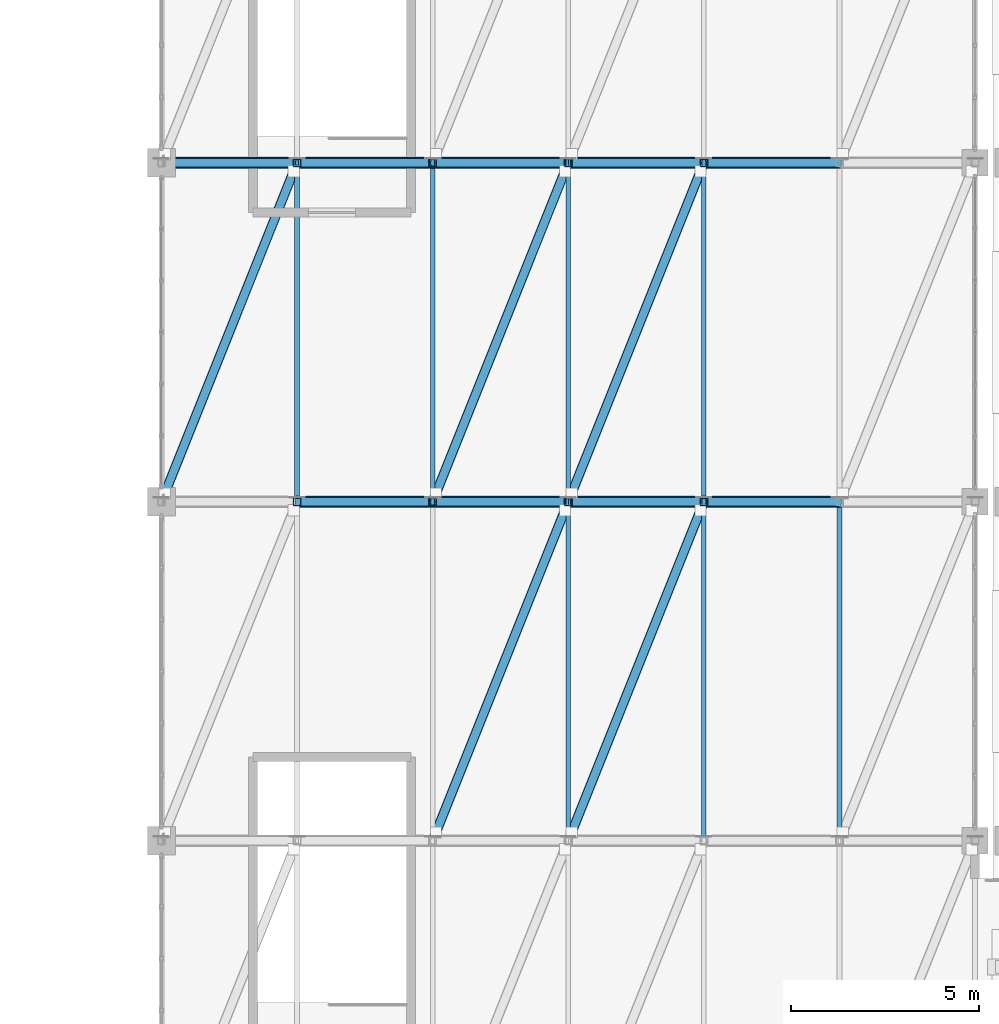
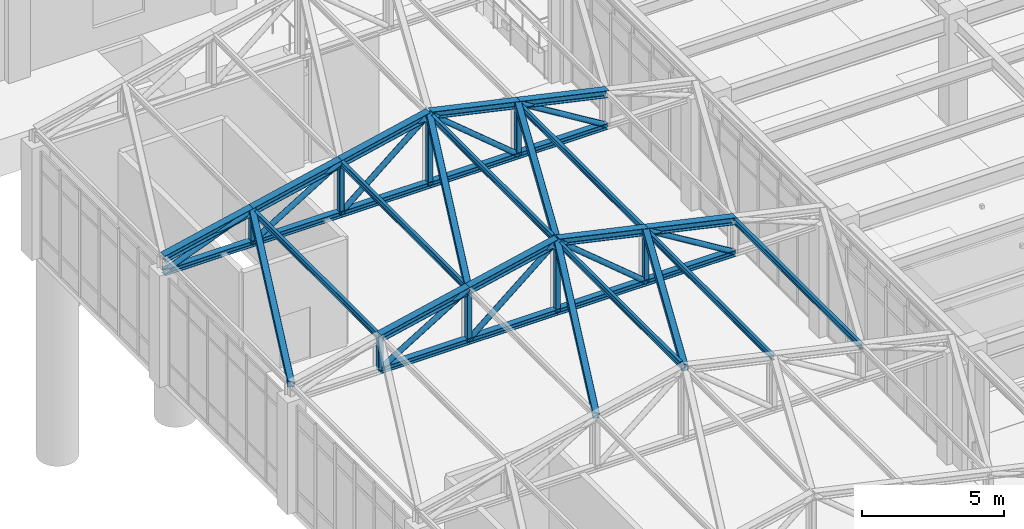
# One storey, part 45 of 139: 38 members, 9 beams.
"""IFC4 building model written with IfcOpenShell, lengths in metres."""

from ifc_helpers import new_model, si_unit, direction, frame, origin, origin_2d, place, context, subcontext, project, spatial, hollow_rectangle, hollow_circle, i_section, extrude, material, material_profile, profile_set, type_object, element, save


model = new_model("IFC4")

# Units and contexts
model_context = context("Model", 3, precision=1e-05, world=origin(), true_north=direction((0.0, 1.0)))
body_context = subcontext(model_context, "Body", "Model", "MODEL_VIEW")
ifc_project = project(units=[si_unit("LENGTHUNIT", "METRE"), si_unit("AREAUNIT", "SQUARE_METRE"), si_unit("VOLUMEUNIT", "CUBIC_METRE"), si_unit("PLANEANGLEUNIT", "RADIAN"), si_unit("MASSUNIT", "GRAM", prefix="KILO")], contexts=[model_context])

# Site, building, storey
site_placement = place(None, origin())
site = spatial("IfcSite", under=ifc_project, at=site_placement, CompositionType="ELEMENT")
building_placement = place(site_placement, origin())
building = spatial("IfcBuilding", under=site, at=building_placement, Name="Canglan Escarpment Cableway Terminal", CompositionType="ELEMENT")
storey_placement = place(building_placement, frame((0.0, 0.0, 14.39990234375)))
storey = spatial("IfcBuildingStorey", under=building, at=storey_placement, Name="L03", CompositionType="ELEMENT", Elevation=14.39990234375)

# Beams
ifc_material = material(Name="Steel Q355B", Category="steel")
ifc_material_profile_1 = material_profile(ifc_material, i_section(OverallWidth=0.300048828125, OverallDepth=0.300048828125, WebThickness=0.010009765625, FlangeThickness=0.014892578125, FilletRadius=0.01806640625, at=origin_2d()), Name="HW 300x300x10x15")
ifc_profile_set_1 = profile_set([ifc_material_profile_1], Name="Steel Q355B")
beam_type = type_object("IfcBeamType", Name="BM-PRATT-TOP-HW300", PredefinedType="BEAM", material=ifc_profile_set_1)
beam_1_placement = place(storey_placement, frame((118.699951171875, 61.0, 6.050048828125), z_axis=(0.976185502511, 0.0, 0.216937467227), x_axis=(0.0, 1.0, 0.0)))
element("IfcBeam", 1, at=beam_1_placement, inside=storey, type_object=beam_type, Name="Cabin Garage ROOF TRUSS top chord PT-TC1", PredefinedType="BEAM", context=body_context, shape_type="SweptSolid", body=[
    extrude(i_section(OverallWidth=0.300048828125, OverallDepth=0.300048828125, WebThickness=0.010009765625, FlangeThickness=0.014892578125, FilletRadius=0.01806640625, at=origin_2d()), origin(), (0.0, 0.0, 1.0), 3.68798828125),
])
beam_2_placement = place(storey_placement, frame((122.300048828125, 61.0, 6.85009765625), z_axis=(0.976182386713, 0.0, 0.216951487369), x_axis=(0.0, 1.0, 0.0)))
element("IfcBeam", 2, at=beam_2_placement, inside=storey, type_object=beam_type, Name="Cabin Garage ROOF TRUSS top chord PT-TC1", PredefinedType="BEAM", context=body_context, shape_type="SweptSolid", body=[
    extrude(i_section(OverallWidth=0.300048828125, OverallDepth=0.300048828125, WebThickness=0.010009765625, FlangeThickness=0.014892578125, FilletRadius=0.01806640625, at=origin_2d()), origin(), (0.0, 0.0, 1.0), 3.687744140625),
])
for number, where, z_axis, x_axis, name in (
    (3, (125.89990234375, 61.0, 7.650146484375), (0.976185502511, 0.0, -0.216937467227), (0.0, 1.0, 0.0), "Cabin Garage ROOF TRUSS top chord PT-TC1"),
    (4, (129.5, 61.0, 6.85009765625), (0.976185502511, 0.0, -0.216937467227), (0.0, 1.0, 0.0), "Cabin Garage ROOF TRUSS top chord PT-TC1"),
):
    element("IfcBeam", number, at=place(storey_placement, frame(where, z_axis=z_axis, x_axis=x_axis)), inside=storey, type_object=beam_type, Name=name, PredefinedType="BEAM", context=body_context, shape_type="SweptSolid", body=[
        extrude(i_section(OverallWidth=0.300048828125, OverallDepth=0.300048828125, WebThickness=0.010009765625, FlangeThickness=0.014892578125, FilletRadius=0.01806640625, at=origin_2d()), origin(), (0.0, 0.0, 1.0), 3.68798828125),
    ])
beam_3_placement = place(storey_placement, frame((115.10009765625, 70.0, 5.25), z_axis=(0.976182386713, 0.0, 0.216951487369), x_axis=(0.0, 1.0, 0.0)))
element("IfcBeam", 5, at=beam_3_placement, inside=storey, type_object=beam_type, Name="Cabin Garage ROOF TRUSS top chord PT-TC1", PredefinedType="BEAM", context=body_context, shape_type="SweptSolid", body=[
    extrude(i_section(OverallWidth=0.300048828125, OverallDepth=0.300048828125, WebThickness=0.010009765625, FlangeThickness=0.014892578125, FilletRadius=0.01806640625, at=origin_2d()), origin(), (0.0, 0.0, 1.0), 3.687744140625),
])
beam_4_placement = place(storey_placement, frame((118.699951171875, 70.0, 6.050048828125), z_axis=(0.976185502511, 0.0, 0.216937467227), x_axis=(0.0, 1.0, 0.0)))
element("IfcBeam", 6, at=beam_4_placement, inside=storey, type_object=beam_type, Name="Cabin Garage ROOF TRUSS top chord PT-TC1", PredefinedType="BEAM", context=body_context, shape_type="SweptSolid", body=[
    extrude(i_section(OverallWidth=0.300048828125, OverallDepth=0.300048828125, WebThickness=0.010009765625, FlangeThickness=0.014892578125, FilletRadius=0.01806640625, at=origin_2d()), origin(), (0.0, 0.0, 1.0), 3.68798828125),
])
beam_5_placement = place(storey_placement, frame((122.300048828125, 70.0, 6.85009765625), z_axis=(0.976182386713, 0.0, 0.216951487369), x_axis=(0.0, 1.0, 0.0)))
element("IfcBeam", 7, at=beam_5_placement, inside=storey, type_object=beam_type, Name="Cabin Garage ROOF TRUSS top chord PT-TC1", PredefinedType="BEAM", context=body_context, shape_type="SweptSolid", body=[
    extrude(i_section(OverallWidth=0.300048828125, OverallDepth=0.300048828125, WebThickness=0.010009765625, FlangeThickness=0.014892578125, FilletRadius=0.01806640625, at=origin_2d()), origin(), (0.0, 0.0, 1.0), 3.687744140625),
])
for number, where, z_axis, x_axis, name in (
    (8, (125.89990234375, 70.0, 7.650146484375), (0.976185502511, 0.0, -0.216937467227), (0.0, 1.0, 0.0), "Cabin Garage ROOF TRUSS top chord PT-TC1"),
    (9, (129.5, 70.0, 6.85009765625), (0.976185502511, 0.0, -0.216937467227), (0.0, 1.0, 0.0), "Cabin Garage ROOF TRUSS top chord PT-TC1"),
):
    element("IfcBeam", number, at=place(storey_placement, frame(where, z_axis=z_axis, x_axis=x_axis)), inside=storey, type_object=beam_type, Name=name, PredefinedType="BEAM", context=body_context, shape_type="SweptSolid", body=[
        extrude(i_section(OverallWidth=0.300048828125, OverallDepth=0.300048828125, WebThickness=0.010009765625, FlangeThickness=0.014892578125, FilletRadius=0.01806640625, at=origin_2d()), origin(), (0.0, 0.0, 1.0), 3.68798828125),
    ])

# Members
ifc_material_profile_2 = material_profile(ifc_material, hollow_rectangle(XDim=0.25, YDim=0.25, WallThickness=0.010009765625, InnerFilletRadius=0.010009765625, OuterFilletRadius=0.02001953125, at=origin_2d()), Name="SHS 250x250x10")
ifc_profile_set_2 = profile_set([ifc_material_profile_2], Name="Steel Q355B")
member_type_1 = type_object("IfcMemberType", Name="MB-FRAME-BR-SHS250", PredefinedType="BRACE", material=ifc_profile_set_2)
for number, where, z_axis, x_axis, name in (
    (10, (122.300048828125, 52.0, 6.85009765625), (0.37011910414, 0.925335412344, 0.082257056919), (-0.928481901832, 0.371377648723, 0.0), "Cabin Garage roof lateral brace BR-02"),
    (11, (125.89990234375, 52.0, 7.650146484375), (0.370140766583, 0.925326815361, -0.082256292696), (-0.928473216852, 0.37139936132, 0.0), "Cabin Garage roof lateral brace BR-02"),
    (12, (115.10009765625, 61.0, 5.25), (0.37011910414, 0.925335412344, 0.082257056919), (-0.928481901832, 0.371377648723, 0.0), "Cabin Garage roof lateral brace BR-02"),
    (13, (122.300048828125, 61.0, 6.85009765625), (0.37011910414, 0.925335412344, 0.082257056919), (-0.928481901832, 0.371377648723, 0.0), "Cabin Garage roof lateral brace BR-02"),
    (14, (125.89990234375, 61.0, 7.650146484375), (0.370140766583, 0.925326815361, -0.082256292696), (-0.928473216852, 0.37139936132, 0.0), "Cabin Garage roof lateral brace BR-02"),
):
    element("IfcMember", number, at=place(storey_placement, frame(where, z_axis=z_axis, x_axis=x_axis)), inside=storey, type_object=member_type_1, Name=name, PredefinedType="BRACE", context=body_context, shape_type="SweptSolid", body=[
        extrude(hollow_rectangle(XDim=0.25, YDim=0.25, WallThickness=0.010009765625, InnerFilletRadius=0.010009765625, OuterFilletRadius=0.02001953125, at=origin_2d()), origin(), (0.0, 0.0, 1.0), 9.726318359375),
    ])
ifc_material_profile_3 = material_profile(ifc_material, i_section(OverallWidth=0.125, OverallDepth=0.25, WebThickness=0.006103515625, FlangeThickness=0.009033203125, FilletRadius=0.011962890625, at=origin_2d()), Name="HN 250x125x6x9")
ifc_profile_set_3 = profile_set([ifc_material_profile_3], Name="Steel Q355B")
member_type_2 = type_object("IfcMemberType", Name="MB-GARAGE-PUR-HN250", PredefinedType="PURLIN", material=ifc_profile_set_3)
for number, where, z_axis, x_axis, name in (
    (15, (125.89990234375, 52.0, 7.630126953125), (0.0, 1.0, 0.0), (-1.0, 0.0, 0.0), "Cabin Garage roof purlin PR-02"),
    (16, (129.5, 52.0, 6.830078125), (0.0, 1.0, 0.0), (-1.0, 0.0, 0.0), "Cabin Garage roof purlin PR-02"),
    (17, (133.10009765625, 52.0, 6.030029296875), (0.0, 1.0, 0.0), (-1.0, 0.0, 0.0), "Cabin Garage roof purlin PR-02"),
    (18, (118.699951171875, 61.0, 6.030029296875), (0.0, 1.0, 0.0), (-1.0, 0.0, 0.0), "Cabin Garage roof purlin PR-02"),
    (19, (122.300048828125, 61.0, 6.830078125), (0.0, 1.0, 0.0), (-1.0, 0.0, 0.0), "Cabin Garage roof purlin PR-02"),
    (20, (125.89990234375, 61.0, 7.630126953125), (0.0, 1.0, 0.0), (-1.0, 0.0, 0.0), "Cabin Garage roof purlin PR-02"),
    (21, (129.5, 61.0, 6.830078125), (0.0, 1.0, 0.0), (-1.0, 0.0, 0.0), "Cabin Garage roof purlin PR-02"),
):
    element("IfcMember", number, at=place(storey_placement, frame(where, z_axis=z_axis, x_axis=x_axis)), inside=storey, type_object=member_type_2, Name=name, PredefinedType="PURLIN", context=body_context, shape_type="SweptSolid", body=[
        extrude(i_section(OverallWidth=0.125, OverallDepth=0.25, WebThickness=0.006103515625, FlangeThickness=0.009033203125, FilletRadius=0.011962890625, at=origin_2d()), origin(), (0.0, 0.0, 1.0), 9.0),
    ])
ifc_material_profile_4 = material_profile(ifc_material, i_section(OverallWidth=0.25, OverallDepth=0.25, WebThickness=0.009033203125, FlangeThickness=0.013916015625, FilletRadius=0.01611328125, at=origin_2d()), Name="HW 250x250x9x14")
ifc_profile_set_4 = profile_set([ifc_material_profile_4], Name="Steel Q355B")
member_type_3 = type_object("IfcMemberType", Name="MB-PRATT-BOT-HW250", PredefinedType="CHORD", material=ifc_profile_set_4)
member_1_placement = place(storey_placement, frame((118.699951171875, 61.0, 4.650146484375), z_axis=(1.0, 0.0, 0.0), x_axis=(0.0, 1.0, 0.0)))
element("IfcMember", 22, at=member_1_placement, inside=storey, type_object=member_type_3, Name="Cabin Garage ROOF TRUSS bottom chord PT-BC1", PredefinedType="CHORD", context=body_context, shape_type="SweptSolid", body=[
    extrude(i_section(OverallWidth=0.25, OverallDepth=0.25, WebThickness=0.009033203125, FlangeThickness=0.013916015625, FilletRadius=0.01611328125, at=origin_2d()), origin(), (0.0, 0.0, 1.0), 3.60009765625),
])
member_2_placement = place(storey_placement, frame((122.300048828125, 61.0, 4.650146484375), z_axis=(1.0, 0.0, 0.0), x_axis=(0.0, 1.0, 0.0)))
element("IfcMember", 23, at=member_2_placement, inside=storey, type_object=member_type_3, Name="Cabin Garage ROOF TRUSS bottom chord PT-BC1", PredefinedType="CHORD", context=body_context, shape_type="SweptSolid", body=[
    extrude(i_section(OverallWidth=0.25, OverallDepth=0.25, WebThickness=0.009033203125, FlangeThickness=0.013916015625, FilletRadius=0.01611328125, at=origin_2d()), origin(), (0.0, 0.0, 1.0), 3.599853515625),
])
for number, where, z_axis, x_axis, name in (
    (24, (125.89990234375, 61.0, 4.650146484375), (1.0, 0.0, 0.0), (0.0, 1.0, 0.0), "Cabin Garage ROOF TRUSS bottom chord PT-BC1"),
    (25, (129.5, 61.0, 4.650146484375), (1.0, 0.0, 0.0), (0.0, 1.0, 0.0), "Cabin Garage ROOF TRUSS bottom chord PT-BC1"),
):
    element("IfcMember", number, at=place(storey_placement, frame(where, z_axis=z_axis, x_axis=x_axis)), inside=storey, type_object=member_type_3, Name=name, PredefinedType="CHORD", context=body_context, shape_type="SweptSolid", body=[
        extrude(i_section(OverallWidth=0.25, OverallDepth=0.25, WebThickness=0.009033203125, FlangeThickness=0.013916015625, FilletRadius=0.01611328125, at=origin_2d()), origin(), (0.0, 0.0, 1.0), 3.60009765625),
    ])
member_3_placement = place(storey_placement, frame((115.10009765625, 70.0, 4.650146484375), z_axis=(1.0, 0.0, 0.0), x_axis=(0.0, 1.0, 0.0)))
element("IfcMember", 26, at=member_3_placement, inside=storey, type_object=member_type_3, Name="Cabin Garage ROOF TRUSS bottom chord PT-BC1", PredefinedType="CHORD", context=body_context, shape_type="SweptSolid", body=[
    extrude(i_section(OverallWidth=0.25, OverallDepth=0.25, WebThickness=0.009033203125, FlangeThickness=0.013916015625, FilletRadius=0.01611328125, at=origin_2d()), origin(), (0.0, 0.0, 1.0), 3.599853515625),
])
member_4_placement = place(storey_placement, frame((118.699951171875, 70.0, 4.650146484375), z_axis=(1.0, 0.0, 0.0), x_axis=(0.0, 1.0, 0.0)))
element("IfcMember", 27, at=member_4_placement, inside=storey, type_object=member_type_3, Name="Cabin Garage ROOF TRUSS bottom chord PT-BC1", PredefinedType="CHORD", context=body_context, shape_type="SweptSolid", body=[
    extrude(i_section(OverallWidth=0.25, OverallDepth=0.25, WebThickness=0.009033203125, FlangeThickness=0.013916015625, FilletRadius=0.01611328125, at=origin_2d()), origin(), (0.0, 0.0, 1.0), 3.60009765625),
])
member_5_placement = place(storey_placement, frame((122.300048828125, 70.0, 4.650146484375), z_axis=(1.0, 0.0, 0.0), x_axis=(0.0, 1.0, 0.0)))
element("IfcMember", 28, at=member_5_placement, inside=storey, type_object=member_type_3, Name="Cabin Garage ROOF TRUSS bottom chord PT-BC1", PredefinedType="CHORD", context=body_context, shape_type="SweptSolid", body=[
    extrude(i_section(OverallWidth=0.25, OverallDepth=0.25, WebThickness=0.009033203125, FlangeThickness=0.013916015625, FilletRadius=0.01611328125, at=origin_2d()), origin(), (0.0, 0.0, 1.0), 3.599853515625),
])
for number, where, z_axis, x_axis, name in (
    (29, (125.89990234375, 70.0, 4.650146484375), (1.0, 0.0, 0.0), (0.0, 1.0, 0.0), "Cabin Garage ROOF TRUSS bottom chord PT-BC1"),
    (30, (129.5, 70.0, 4.650146484375), (1.0, 0.0, 0.0), (0.0, 1.0, 0.0), "Cabin Garage ROOF TRUSS bottom chord PT-BC1"),
):
    element("IfcMember", number, at=place(storey_placement, frame(where, z_axis=z_axis, x_axis=x_axis)), inside=storey, type_object=member_type_3, Name=name, PredefinedType="CHORD", context=body_context, shape_type="SweptSolid", body=[
        extrude(i_section(OverallWidth=0.25, OverallDepth=0.25, WebThickness=0.009033203125, FlangeThickness=0.013916015625, FilletRadius=0.01611328125, at=origin_2d()), origin(), (0.0, 0.0, 1.0), 3.60009765625),
    ])
ifc_material_profile_5 = material_profile(ifc_material, hollow_circle(Radius=0.109619140625, WallThickness=0.008056640625, at=origin_2d()), Name="CHS 219.1x8")
ifc_profile_set_5 = profile_set([ifc_material_profile_5], Name="Steel Q355B")
member_type_4 = type_object("IfcMemberType", Name="MB-PRATT-DIAG-CHS219", PredefinedType="BRACE", material=ifc_profile_set_5)
member_6_placement = place(storey_placement, frame((118.699951171875, 61.0, 4.650146484375), z_axis=(0.853293276627, 0.0, 0.521431284124), x_axis=(0.0, 1.0, 0.0)))
element("IfcMember", 31, at=member_6_placement, inside=storey, type_object=member_type_4, Name="Cabin Garage ROOF TRUSS diagonal PT-DG1", PredefinedType="BRACE", context=body_context, shape_type="SweptSolid", body=[
    extrude(hollow_circle(Radius=0.109619140625, WallThickness=0.008056640625, at=origin_2d()), origin(), (0.0, 0.0, 1.0), 4.218994140625),
])
member_7_placement = place(storey_placement, frame((122.300048828125, 61.0, 4.650146484375), z_axis=(0.768208468069, 0.0, 0.640199773186), x_axis=(0.0, 1.0, 0.0)))
element("IfcMember", 32, at=member_7_placement, inside=storey, type_object=member_type_4, Name="Cabin Garage ROOF TRUSS diagonal PT-DG1", PredefinedType="BRACE", context=body_context, shape_type="SweptSolid", body=[
    extrude(hollow_circle(Radius=0.109619140625, WallThickness=0.008056640625, at=origin_2d()), origin(), (0.0, 0.0, 1.0), 4.68603515625),
])
member_8_placement = place(storey_placement, frame((125.89990234375, 61.0, 7.650146484375), z_axis=(0.768229820104, 0.0, -0.640174150918), x_axis=(0.0, 1.0, 0.0)))
element("IfcMember", 33, at=member_8_placement, inside=storey, type_object=member_type_4, Name="Cabin Garage ROOF TRUSS diagonal PT-DG1", PredefinedType="BRACE", context=body_context, shape_type="SweptSolid", body=[
    extrude(hollow_circle(Radius=0.109619140625, WallThickness=0.008056640625, at=origin_2d()), origin(), (0.0, 0.0, 1.0), 4.686279296875),
])
member_9_placement = place(storey_placement, frame((129.5, 61.0, 6.85009765625), z_axis=(0.853293276627, 0.0, -0.521431284124), x_axis=(0.0, 1.0, 0.0)))
element("IfcMember", 34, at=member_9_placement, inside=storey, type_object=member_type_4, Name="Cabin Garage ROOF TRUSS diagonal PT-DG1", PredefinedType="BRACE", context=body_context, shape_type="SweptSolid", body=[
    extrude(hollow_circle(Radius=0.109619140625, WallThickness=0.008056640625, at=origin_2d()), origin(), (0.0, 0.0, 1.0), 4.218994140625),
])
member_10_placement = place(storey_placement, frame((115.10009765625, 70.0, 4.650146484375), z_axis=(0.932008230148, 0.0, 0.36243711032), x_axis=(0.0, 1.0, 0.0)))
element("IfcMember", 35, at=member_10_placement, inside=storey, type_object=member_type_4, Name="Cabin Garage ROOF TRUSS diagonal PT-DG1", PredefinedType="BRACE", context=body_context, shape_type="SweptSolid", body=[
    extrude(hollow_circle(Radius=0.109619140625, WallThickness=0.008056640625, at=origin_2d()), origin(), (0.0, 0.0, 1.0), 3.862548828125),
])
member_11_placement = place(storey_placement, frame((118.699951171875, 70.0, 4.650146484375), z_axis=(0.853293276627, 0.0, 0.521431284124), x_axis=(0.0, 1.0, 0.0)))
element("IfcMember", 36, at=member_11_placement, inside=storey, type_object=member_type_4, Name="Cabin Garage ROOF TRUSS diagonal PT-DG1", PredefinedType="BRACE", context=body_context, shape_type="SweptSolid", body=[
    extrude(hollow_circle(Radius=0.109619140625, WallThickness=0.008056640625, at=origin_2d()), origin(), (0.0, 0.0, 1.0), 4.218994140625),
])
member_12_placement = place(storey_placement, frame((122.300048828125, 70.0, 4.650146484375), z_axis=(0.768208468069, 0.0, 0.640199773186), x_axis=(0.0, 1.0, 0.0)))
element("IfcMember", 37, at=member_12_placement, inside=storey, type_object=member_type_4, Name="Cabin Garage ROOF TRUSS diagonal PT-DG1", PredefinedType="BRACE", context=body_context, shape_type="SweptSolid", body=[
    extrude(hollow_circle(Radius=0.109619140625, WallThickness=0.008056640625, at=origin_2d()), origin(), (0.0, 0.0, 1.0), 4.68603515625),
])
member_13_placement = place(storey_placement, frame((125.89990234375, 70.0, 7.650146484375), z_axis=(0.768229820104, 0.0, -0.640174150918), x_axis=(0.0, 1.0, 0.0)))
element("IfcMember", 38, at=member_13_placement, inside=storey, type_object=member_type_4, Name="Cabin Garage ROOF TRUSS diagonal PT-DG1", PredefinedType="BRACE", context=body_context, shape_type="SweptSolid", body=[
    extrude(hollow_circle(Radius=0.109619140625, WallThickness=0.008056640625, at=origin_2d()), origin(), (0.0, 0.0, 1.0), 4.686279296875),
])
member_14_placement = place(storey_placement, frame((129.5, 70.0, 6.85009765625), z_axis=(0.853293276627, 0.0, -0.521431284124), x_axis=(0.0, 1.0, 0.0)))
element("IfcMember", 39, at=member_14_placement, inside=storey, type_object=member_type_4, Name="Cabin Garage ROOF TRUSS diagonal PT-DG1", PredefinedType="BRACE", context=body_context, shape_type="SweptSolid", body=[
    extrude(hollow_circle(Radius=0.109619140625, WallThickness=0.008056640625, at=origin_2d()), origin(), (0.0, 0.0, 1.0), 4.218994140625),
])
ifc_material_profile_6 = material_profile(ifc_material, hollow_rectangle(XDim=0.199951171875, YDim=0.199951171875, WallThickness=0.008056640625, InnerFilletRadius=0.008056640625, OuterFilletRadius=0.01611328125, at=origin_2d()), Name="SHS 200x200x8")
ifc_profile_set_6 = profile_set([ifc_material_profile_6], Name="Steel Q355B")
member_type_5 = type_object("IfcMemberType", Name="MB-PRATT-WEB-SHS200", PredefinedType="BRACE", material=ifc_profile_set_6)
member_15_placement = place(storey_placement, frame((118.699951171875, 61.0, 4.650146484375), z_axis=(0.0, 0.0, 1.0), x_axis=(1.0, 0.0, 0.0)))
element("IfcMember", 40, at=member_15_placement, inside=storey, type_object=member_type_5, Name="Cabin Garage ROOF TRUSS strut PT-WB1", PredefinedType="BRACE", context=body_context, shape_type="SweptSolid", body=[
    extrude(hollow_rectangle(XDim=0.199951171875, YDim=0.199951171875, WallThickness=0.008056640625, InnerFilletRadius=0.008056640625, OuterFilletRadius=0.01611328125, at=origin_2d()), origin(), (0.0, 0.0, 1.0), 1.39990234375),
])
member_16_placement = place(storey_placement, frame((122.300048828125, 61.0, 4.650146484375), z_axis=(0.0, 0.0, 1.0), x_axis=(1.0, 0.0, 0.0)))
element("IfcMember", 41, at=member_16_placement, inside=storey, type_object=member_type_5, Name="Cabin Garage ROOF TRUSS strut PT-WB1", PredefinedType="BRACE", context=body_context, shape_type="SweptSolid", body=[
    extrude(hollow_rectangle(XDim=0.199951171875, YDim=0.199951171875, WallThickness=0.008056640625, InnerFilletRadius=0.008056640625, OuterFilletRadius=0.01611328125, at=origin_2d()), origin(), (0.0, 0.0, 1.0), 2.199951171875),
])
member_17_placement = place(storey_placement, frame((125.89990234375, 61.0, 4.650146484375), z_axis=(0.0, 0.0, 1.0), x_axis=(1.0, 0.0, 0.0)))
element("IfcMember", 42, at=member_17_placement, inside=storey, type_object=member_type_5, Name="Cabin Garage ROOF TRUSS strut PT-WB1", PredefinedType="BRACE", context=body_context, shape_type="SweptSolid", body=[
    extrude(hollow_rectangle(XDim=0.199951171875, YDim=0.199951171875, WallThickness=0.008056640625, InnerFilletRadius=0.008056640625, OuterFilletRadius=0.01611328125, at=origin_2d()), origin(), (0.0, 0.0, 1.0), 3.0),
])
member_18_placement = place(storey_placement, frame((129.5, 61.0, 4.650146484375), z_axis=(0.0, 0.0, 1.0), x_axis=(1.0, 0.0, 0.0)))
element("IfcMember", 43, at=member_18_placement, inside=storey, type_object=member_type_5, Name="Cabin Garage ROOF TRUSS strut PT-WB1", PredefinedType="BRACE", context=body_context, shape_type="SweptSolid", body=[
    extrude(hollow_rectangle(XDim=0.199951171875, YDim=0.199951171875, WallThickness=0.008056640625, InnerFilletRadius=0.008056640625, OuterFilletRadius=0.01611328125, at=origin_2d()), origin(), (0.0, 0.0, 1.0), 2.199951171875),
])
member_19_placement = place(storey_placement, frame((118.699951171875, 70.0, 4.650146484375), z_axis=(0.0, 0.0, 1.0), x_axis=(1.0, 0.0, 0.0)))
element("IfcMember", 44, at=member_19_placement, inside=storey, type_object=member_type_5, Name="Cabin Garage ROOF TRUSS strut PT-WB1", PredefinedType="BRACE", context=body_context, shape_type="SweptSolid", body=[
    extrude(hollow_rectangle(XDim=0.199951171875, YDim=0.199951171875, WallThickness=0.008056640625, InnerFilletRadius=0.008056640625, OuterFilletRadius=0.01611328125, at=origin_2d()), origin(), (0.0, 0.0, 1.0), 1.39990234375),
])
member_20_placement = place(storey_placement, frame((122.300048828125, 70.0, 4.650146484375), z_axis=(0.0, 0.0, 1.0), x_axis=(1.0, 0.0, 0.0)))
element("IfcMember", 45, at=member_20_placement, inside=storey, type_object=member_type_5, Name="Cabin Garage ROOF TRUSS strut PT-WB1", PredefinedType="BRACE", context=body_context, shape_type="SweptSolid", body=[
    extrude(hollow_rectangle(XDim=0.199951171875, YDim=0.199951171875, WallThickness=0.008056640625, InnerFilletRadius=0.008056640625, OuterFilletRadius=0.01611328125, at=origin_2d()), origin(), (0.0, 0.0, 1.0), 2.199951171875),
])
member_21_placement = place(storey_placement, frame((125.89990234375, 70.0, 4.650146484375), z_axis=(0.0, 0.0, 1.0), x_axis=(1.0, 0.0, 0.0)))
element("IfcMember", 46, at=member_21_placement, inside=storey, type_object=member_type_5, Name="Cabin Garage ROOF TRUSS strut PT-WB1", PredefinedType="BRACE", context=body_context, shape_type="SweptSolid", body=[
    extrude(hollow_rectangle(XDim=0.199951171875, YDim=0.199951171875, WallThickness=0.008056640625, InnerFilletRadius=0.008056640625, OuterFilletRadius=0.01611328125, at=origin_2d()), origin(), (0.0, 0.0, 1.0), 3.0),
])
member_22_placement = place(storey_placement, frame((129.5, 70.0, 4.650146484375), z_axis=(0.0, 0.0, 1.0), x_axis=(1.0, 0.0, 0.0)))
element("IfcMember", 47, at=member_22_placement, inside=storey, type_object=member_type_5, Name="Cabin Garage ROOF TRUSS strut PT-WB1", PredefinedType="BRACE", context=body_context, shape_type="SweptSolid", body=[
    extrude(hollow_rectangle(XDim=0.199951171875, YDim=0.199951171875, WallThickness=0.008056640625, InnerFilletRadius=0.008056640625, OuterFilletRadius=0.01611328125, at=origin_2d()), origin(), (0.0, 0.0, 1.0), 2.199951171875),
])

save(model, "model.ifc")
